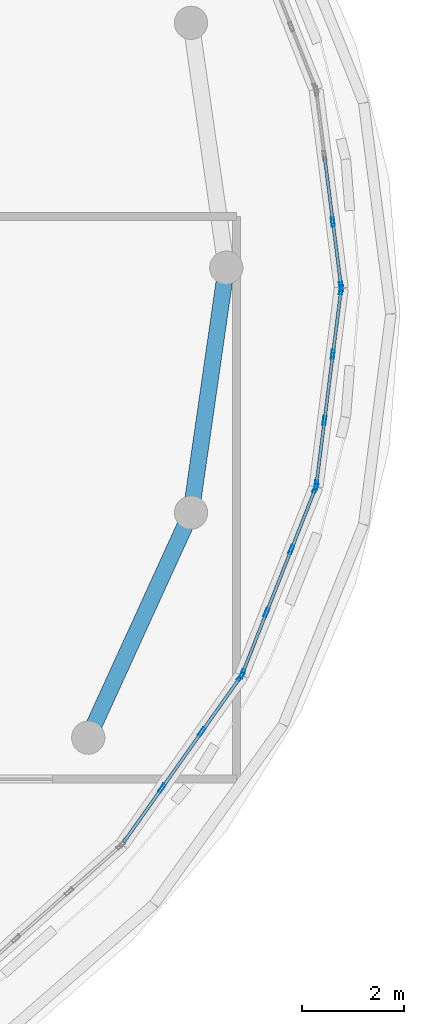
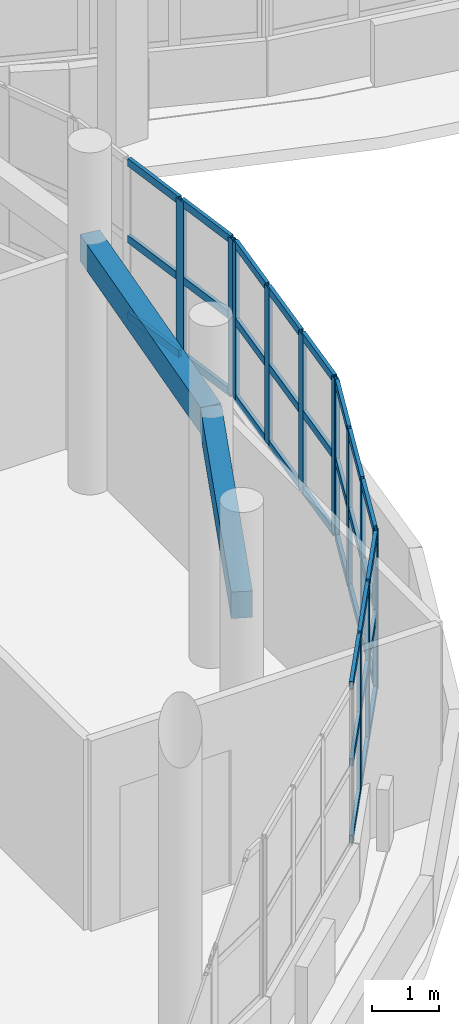
# One storey, part 10 of 105: 46 members, 2 beams, 4 elements without a shape of their own.
"""IFC4 building model written with IfcOpenShell, lengths in metres."""

from ifc_helpers import new_model, si_unit, direction, frame, origin, origin_2d, place, context, subcontext, project, spatial, rectangle, hollow_rectangle, extrude, material, layer, layer_set, material_profile, profile_set, type_object, element, aggregate, save


model = new_model("IFC4")

# Units and contexts
model_context = context("Model", 3, precision=1e-05, world=origin(), true_north=direction((0.0, 1.0)))
body_context = subcontext(model_context, "Body", "Model", "MODEL_VIEW")
ifc_project = project(units=[si_unit("LENGTHUNIT", "METRE"), si_unit("AREAUNIT", "SQUARE_METRE"), si_unit("VOLUMEUNIT", "CUBIC_METRE"), si_unit("PLANEANGLEUNIT", "RADIAN"), si_unit("MASSUNIT", "GRAM", prefix="KILO")], contexts=[model_context])

# Site, building, storey
site_placement = place(None, origin())
site = spatial("IfcSite", under=ifc_project, at=site_placement, CompositionType="ELEMENT")
building_placement = place(site_placement, origin())
building = spatial("IfcBuilding", under=site, at=building_placement, Name="Pelvatis Terrace Science Centre", CompositionType="ELEMENT")
storey_placement = place(building_placement, frame((0.0, 0.0, 10.199951171875)))
storey = spatial("IfcBuildingStorey", under=building, at=storey_placement, Name="L02", CompositionType="ELEMENT", Elevation=10.199951171875)

# Beams
ifc_material_1 = material(Name="Concrete C35/45", Category="concrete")
ifc_material_profile_1 = material_profile(ifc_material_1, rectangle(XDim=0.320068359375, YDim=0.47998046875, at=origin_2d()), Name="RC-BM 320x480")
ifc_profile_set_1 = profile_set([ifc_material_profile_1], Name="Concrete C35/45")
beam_type = type_object("IfcBeamType", Name="BM-RC-320x480", PredefinedType="BEAM", material=ifc_profile_set_1)
beam_1_placement = place(storey_placement, frame((95.0, 54.60009765625, 4.300048828125), z_axis=(-0.142332506918, -0.989818901352, 0.0), x_axis=(0.989818901352, -0.142332506918, 0.0)))
element("IfcBeam", 1, at=beam_1_placement, inside=storey, type_object=beam_type, Name="Beam BM-L02-2877", PredefinedType="BEAM", context=body_context, shape_type="SweptSolid", body=[
    extrude(rectangle(XDim=0.320068359375, YDim=0.47998046875, at=origin_2d()), origin(), (0.0, 0.0, 1.0), 4.8388671875),
])
beam_2_placement = place(storey_placement, frame((92.30126953125, 45.4091796875, 4.300048828125), z_axis=(0.415410348173, 0.909634125696, 0.0), x_axis=(-0.909634125696, 0.415410348173, 0.0)))
element("IfcBeam", 2, at=beam_2_placement, inside=storey, type_object=beam_type, Name="Beam BM-L02-2880", PredefinedType="BEAM", context=body_context, shape_type="SweptSolid", body=[
    extrude(rectangle(XDim=0.320068359375, YDim=0.47998046875, at=origin_2d()), origin(), (0.0, 0.0, 1.0), 4.838623046875),
])

# Curtain wall, members
ifc_material_2 = material(Name="Bronze-anodised aluminium and laminated glass", Category="aluminium")
ifc_layer = layer(ifc_material_2, 0.179931640625)
ifc_layer_set = layer_set([ifc_layer], Name="Bronze-anodised aluminium and laminated glass")
curtain_wall_type = type_object("IfcCurtainWallType", Name="CW-RIBBON-A", PredefinedType="NOTDEFINED", material=ifc_layer_set)
curtain_wall_1_placement = place(storey_placement, origin())
curtain_wall_1 = element("IfcCurtainWall", 3, at=curtain_wall_1_placement, inside=storey, type_object=curtain_wall_type, Name="Ribbon curtain wall CW-077 (L02)", PredefinedType="NOTDEFINED")
ifc_material_3 = material(Name="Bronze-anodised aluminium 6063-T6", Category="aluminium")
ifc_material_profile_2 = material_profile(ifc_material_3, hollow_rectangle(XDim=0.06005859375, YDim=0.179931640625, WallThickness=0.00390625, at=origin_2d()), Name="ALU-MUL 60x180")
ifc_profile_set_2 = profile_set([ifc_material_profile_2], Name="Bronze-anodised aluminium 6063-T6")
member_type_1 = type_object("IfcMemberType", Name="CWM-60x180", PredefinedType="MULLION", material=ifc_profile_set_2)
member_1_placement = place(storey_placement, frame((97.246337890625, 54.229736328125, 1.02001953125), z_axis=(0.0, 0.0, 1.0), x_axis=(-0.992045836863, -0.125877152665, 0.0)))
member_1 = element("IfcMember", 4, at=member_1_placement, type_object=member_type_1, Name="CW-077 mullion 1", PredefinedType="MULLION", context=body_context, shape_type="SweptSolid", body=[
    extrude(hollow_rectangle(XDim=0.06005859375, YDim=0.179931640625, WallThickness=0.00390625, at=origin_2d()), origin(), (0.0, 0.0, 1.0), 2.840087890625),
])
member_2_placement = place(storey_placement, frame((97.085693359375, 55.494384765625, 1.02001953125), z_axis=(0.0, 0.0, 1.0), x_axis=(-0.992045836863, -0.125877152665, 0.0)))
member_2 = element("IfcMember", 5, at=member_2_placement, type_object=member_type_1, Name="CW-077 mullion 2", PredefinedType="MULLION", context=body_context, shape_type="SweptSolid", body=[
    extrude(hollow_rectangle(XDim=0.06005859375, YDim=0.179931640625, WallThickness=0.00390625, at=origin_2d()), origin(), (0.0, 0.0, 1.0), 2.840087890625),
])

curtain_wall_2_placement = place(storey_placement, origin())
curtain_wall_2 = element("IfcCurtainWall", 6, at=curtain_wall_2_placement, inside=storey, type_object=curtain_wall_type, Name="Ribbon curtain wall CW-098 (L02)", PredefinedType="NOTDEFINED")
member_3_placement = place(storey_placement, frame((93.743408203125, 44.4228515625, 1.02001953125), z_axis=(0.0, 0.0, 1.0), x_axis=(-0.8163259778, 0.57759146286, 0.0)))
member_3 = element("IfcMember", 7, at=member_3_placement, type_object=member_type_1, Name="CW-098 mullion 2", PredefinedType="MULLION", context=body_context, shape_type="SweptSolid", body=[
    extrude(hollow_rectangle(XDim=0.06005859375, YDim=0.179931640625, WallThickness=0.00390625, at=origin_2d()), origin(), (0.0, 0.0, 1.0), 2.840087890625),
])
member_4_placement = place(storey_placement, frame((94.523681640625, 45.52587890625, 1.02001953125), z_axis=(0.0, 0.0, 1.0), x_axis=(-0.8163259778, 0.57759146286, 0.0)))
member_4 = element("IfcMember", 8, at=member_4_placement, type_object=member_type_1, Name="CW-098 mullion 3", PredefinedType="MULLION", context=body_context, shape_type="SweptSolid", body=[
    extrude(hollow_rectangle(XDim=0.06005859375, YDim=0.179931640625, WallThickness=0.00390625, at=origin_2d()), origin(), (0.0, 0.0, 1.0), 2.840087890625),
])
member_5_placement = place(storey_placement, frame((95.28662109375, 46.604248046875, 1.02001953125), z_axis=(0.0, 0.0, 1.0), x_axis=(-0.8163259778, 0.57759146286, 0.0)))
member_5 = element("IfcMember", 9, at=member_5_placement, type_object=member_type_1, Name="CW-098 mullion 4", PredefinedType="MULLION", context=body_context, shape_type="SweptSolid", body=[
    extrude(hollow_rectangle(XDim=0.06005859375, YDim=0.179931640625, WallThickness=0.00390625, at=origin_2d()), origin(), (0.0, 0.0, 1.0), 2.840087890625),
])

curtain_wall_3_placement = place(storey_placement, origin())
curtain_wall_3 = element("IfcCurtainWall", 10, at=curtain_wall_3_placement, inside=storey, type_object=curtain_wall_type, Name="Ribbon curtain wall CW-099 (L02)", PredefinedType="NOTDEFINED")
member_6_placement = place(storey_placement, frame((95.31494140625, 46.656494140625, 1.02001953125), z_axis=(0.0, 0.0, 1.0), x_axis=(-0.930379715899, 0.366597305287, 0.0)))
member_6 = element("IfcMember", 11, at=member_6_placement, type_object=member_type_1, Name="CW-099 mullion 1", PredefinedType="MULLION", context=body_context, shape_type="SweptSolid", body=[
    extrude(hollow_rectangle(XDim=0.06005859375, YDim=0.179931640625, WallThickness=0.00390625, at=origin_2d()), origin(), (0.0, 0.0, 1.0), 2.840087890625),
])
member_7_placement = place(storey_placement, frame((95.788330078125, 47.858154296875, 1.02001953125), z_axis=(0.0, 0.0, 1.0), x_axis=(-0.930379715899, 0.366597305287, 0.0)))
member_7 = element("IfcMember", 12, at=member_7_placement, type_object=member_type_1, Name="CW-099 mullion 2", PredefinedType="MULLION", context=body_context, shape_type="SweptSolid", body=[
    extrude(hollow_rectangle(XDim=0.06005859375, YDim=0.179931640625, WallThickness=0.00390625, at=origin_2d()), origin(), (0.0, 0.0, 1.0), 2.840087890625),
])
member_8_placement = place(storey_placement, frame((96.27294921875, 49.087646484375, 1.02001953125), z_axis=(0.0, 0.0, 1.0), x_axis=(-0.930379715899, 0.366597305287, 0.0)))
member_8 = element("IfcMember", 13, at=member_8_placement, type_object=member_type_1, Name="CW-099 mullion 3", PredefinedType="MULLION", context=body_context, shape_type="SweptSolid", body=[
    extrude(hollow_rectangle(XDim=0.06005859375, YDim=0.179931640625, WallThickness=0.00390625, at=origin_2d()), origin(), (0.0, 0.0, 1.0), 2.840087890625),
])
member_9_placement = place(storey_placement, frame((96.746337890625, 50.2890625, 1.02001953125), z_axis=(0.0, 0.0, 1.0), x_axis=(-0.930379715899, 0.366597305287, 0.0)))
member_9 = element("IfcMember", 14, at=member_9_placement, type_object=member_type_1, Name="CW-099 mullion 4", PredefinedType="MULLION", context=body_context, shape_type="SweptSolid", body=[
    extrude(hollow_rectangle(XDim=0.06005859375, YDim=0.179931640625, WallThickness=0.00390625, at=origin_2d()), origin(), (0.0, 0.0, 1.0), 2.840087890625),
])

curtain_wall_4_placement = place(storey_placement, origin())
curtain_wall_4 = element("IfcCurtainWall", 15, at=curtain_wall_4_placement, inside=storey, type_object=curtain_wall_type, Name="Ribbon curtain wall CW-100 (L02)", PredefinedType="NOTDEFINED")
member_10_placement = place(storey_placement, frame((96.760986328125, 50.3466796875, 1.02001953125), z_axis=(0.0, 0.0, 1.0), x_axis=(-0.992045836863, 0.125877152665, 0.0)))
member_10 = element("IfcMember", 16, at=member_10_placement, type_object=member_type_1, Name="CW-100 mullion 1", PredefinedType="MULLION", context=body_context, shape_type="SweptSolid", body=[
    extrude(hollow_rectangle(XDim=0.06005859375, YDim=0.179931640625, WallThickness=0.00390625, at=origin_2d()), origin(), (0.0, 0.0, 1.0), 2.840087890625),
])
member_11_placement = place(storey_placement, frame((96.921630859375, 51.611328125, 1.02001953125), z_axis=(0.0, 0.0, 1.0), x_axis=(-0.992045836863, 0.125877152665, 0.0)))
member_11 = element("IfcMember", 17, at=member_11_placement, type_object=member_type_1, Name="CW-100 mullion 2", PredefinedType="MULLION", context=body_context, shape_type="SweptSolid", body=[
    extrude(hollow_rectangle(XDim=0.06005859375, YDim=0.179931640625, WallThickness=0.00390625, at=origin_2d()), origin(), (0.0, 0.0, 1.0), 2.840087890625),
])
member_12_placement = place(storey_placement, frame((97.085693359375, 52.90576171875, 1.02001953125), z_axis=(0.0, 0.0, 1.0), x_axis=(-0.992045836863, 0.125877152665, 0.0)))
member_12 = element("IfcMember", 18, at=member_12_placement, type_object=member_type_1, Name="CW-100 mullion 3", PredefinedType="MULLION", context=body_context, shape_type="SweptSolid", body=[
    extrude(hollow_rectangle(XDim=0.06005859375, YDim=0.179931640625, WallThickness=0.00390625, at=origin_2d()), origin(), (0.0, 0.0, 1.0), 2.840087890625),
])
member_13_placement = place(storey_placement, frame((97.246337890625, 54.170166015625, 1.02001953125), z_axis=(0.0, 0.0, 1.0), x_axis=(-0.992045836863, 0.125877152665, 0.0)))
member_13 = element("IfcMember", 19, at=member_13_placement, type_object=member_type_1, Name="CW-100 mullion 4", PredefinedType="MULLION", context=body_context, shape_type="SweptSolid", body=[
    extrude(hollow_rectangle(XDim=0.06005859375, YDim=0.179931640625, WallThickness=0.00390625, at=origin_2d()), origin(), (0.0, 0.0, 1.0), 2.840087890625),
])

# Member
ifc_material_4 = material(Name="Bronze-anodised aluminium 6063-T6", Category="aluminium")
ifc_material_profile_3 = material_profile(ifc_material_4, hollow_rectangle(XDim=0.06005859375, YDim=0.139892578125, WallThickness=0.00390625, at=origin_2d()), Name="ALU-TRN 60x140")
ifc_profile_set_3 = profile_set([ifc_material_profile_3], Name="Bronze-anodised aluminium 6063-T6")
member_type_2 = type_object("IfcMemberType", Name="CWT-60x140", PredefinedType="USERDEFINED", material=ifc_profile_set_3)
member_14_placement = place(storey_placement, frame((97.242431640625, 54.259521484375, 1.050048828125), z_axis=(-0.125815556184, 0.992053650677, 0.0), x_axis=(-0.992053650677, -0.125815556184, 0.0)))
member_14 = element("IfcMember", 20, at=member_14_placement, type_object=member_type_2, Name="CW-077 transom 1.1", ObjectType="TRANSOM", PredefinedType="USERDEFINED", context=body_context, shape_type="SweptSolid", body=[
    extrude(hollow_rectangle(XDim=0.06005859375, YDim=0.139892578125, WallThickness=0.00390625, at=origin_2d()), origin(), (0.0, 0.0, 1.0), 1.21484375),
])

member_15_placement = place(storey_placement, frame((97.242431640625, 54.259521484375, 2.43994140625), z_axis=(-0.125815556184, 0.992053650677, 0.0), x_axis=(-0.992053650677, -0.125815556184, 0.0)))
member_15 = element("IfcMember", 21, at=member_15_placement, type_object=member_type_2, Name="CW-077 transom 1.2", ObjectType="TRANSOM", PredefinedType="USERDEFINED", context=body_context, shape_type="SweptSolid", body=[
    extrude(hollow_rectangle(XDim=0.06005859375, YDim=0.139892578125, WallThickness=0.00390625, at=origin_2d()), origin(), (0.0, 0.0, 1.0), 1.21484375),
])

member_16_placement = place(storey_placement, frame((97.242431640625, 54.259521484375, 3.830078125), z_axis=(-0.125815556184, 0.992053650677, 0.0), x_axis=(-0.992053650677, -0.125815556184, 0.0)))
member_16 = element("IfcMember", 22, at=member_16_placement, type_object=member_type_2, Name="CW-077 transom 1.3", ObjectType="TRANSOM", PredefinedType="USERDEFINED", context=body_context, shape_type="SweptSolid", body=[
    extrude(hollow_rectangle(XDim=0.06005859375, YDim=0.139892578125, WallThickness=0.00390625, at=origin_2d()), origin(), (0.0, 0.0, 1.0), 1.21484375),
])

member_17_placement = place(storey_placement, frame((97.08203125, 55.524169921875, 1.050048828125), z_axis=(-0.125941892838, 0.992037620067, 0.0), x_axis=(-0.992037620067, -0.125941892838, 0.0)))
member_17 = element("IfcMember", 23, at=member_17_placement, type_object=member_type_2, Name="CW-077 transom 2.1", ObjectType="TRANSOM", PredefinedType="USERDEFINED", context=body_context, shape_type="SweptSolid", body=[
    extrude(hollow_rectangle(XDim=0.06005859375, YDim=0.139892578125, WallThickness=0.00390625, at=origin_2d()), origin(), (0.0, 0.0, 1.0), 1.24462890625),
])

member_18_placement = place(storey_placement, frame((97.08203125, 55.524169921875, 2.43994140625), z_axis=(-0.125941892838, 0.992037620067, 0.0), x_axis=(-0.992037620067, -0.125941892838, 0.0)))
member_18 = element("IfcMember", 24, at=member_18_placement, type_object=member_type_2, Name="CW-077 transom 2.2", ObjectType="TRANSOM", PredefinedType="USERDEFINED", context=body_context, shape_type="SweptSolid", body=[
    extrude(hollow_rectangle(XDim=0.06005859375, YDim=0.139892578125, WallThickness=0.00390625, at=origin_2d()), origin(), (0.0, 0.0, 1.0), 1.24462890625),
])

member_19_placement = place(storey_placement, frame((97.08203125, 55.524169921875, 3.830078125), z_axis=(-0.125941892838, 0.992037620067, 0.0), x_axis=(-0.992037620067, -0.125941892838, 0.0)))
member_19 = element("IfcMember", 25, at=member_19_placement, type_object=member_type_2, Name="CW-077 transom 2.3", ObjectType="TRANSOM", PredefinedType="USERDEFINED", context=body_context, shape_type="SweptSolid", body=[
    extrude(hollow_rectangle(XDim=0.06005859375, YDim=0.139892578125, WallThickness=0.00390625, at=origin_2d()), origin(), (0.0, 0.0, 1.0), 1.24462890625),
])

aggregate(curtain_wall_1, [member_1, member_2, member_14, member_15, member_16, member_17, member_18, member_19])

member_20_placement = place(storey_placement, frame((92.99755859375, 43.369140625, 1.050048828125), z_axis=(0.577716486773, 0.816237502759, 0.0), x_axis=(-0.816237502759, 0.577716486773, 0.0)))
member_20 = element("IfcMember", 26, at=member_20_placement, type_object=member_type_2, Name="CW-098 transom 1.1", ObjectType="TRANSOM", PredefinedType="USERDEFINED", context=body_context, shape_type="SweptSolid", body=[
    extrude(hollow_rectangle(XDim=0.06005859375, YDim=0.139892578125, WallThickness=0.00390625, at=origin_2d()), origin(), (0.0, 0.0, 1.0), 1.260986328125),
])

member_21_placement = place(storey_placement, frame((92.99755859375, 43.369140625, 2.43994140625), z_axis=(0.577716486773, 0.816237502759, 0.0), x_axis=(-0.816237502759, 0.577716486773, 0.0)))
member_21 = element("IfcMember", 27, at=member_21_placement, type_object=member_type_2, Name="CW-098 transom 1.2", ObjectType="TRANSOM", PredefinedType="USERDEFINED", context=body_context, shape_type="SweptSolid", body=[
    extrude(hollow_rectangle(XDim=0.06005859375, YDim=0.139892578125, WallThickness=0.00390625, at=origin_2d()), origin(), (0.0, 0.0, 1.0), 1.260986328125),
])

member_22_placement = place(storey_placement, frame((92.99755859375, 43.369140625, 3.830078125), z_axis=(0.577716486773, 0.816237502759, 0.0), x_axis=(-0.816237502759, 0.577716486773, 0.0)))
member_22 = element("IfcMember", 28, at=member_22_placement, type_object=member_type_2, Name="CW-098 transom 1.3", ObjectType="TRANSOM", PredefinedType="USERDEFINED", context=body_context, shape_type="SweptSolid", body=[
    extrude(hollow_rectangle(XDim=0.06005859375, YDim=0.139892578125, WallThickness=0.00390625, at=origin_2d()), origin(), (0.0, 0.0, 1.0), 1.260986328125),
])

member_23_placement = place(storey_placement, frame((93.7607421875, 44.447509765625, 1.050048828125), z_axis=(0.57752927875, 0.816369972614, 0.0), x_axis=(-0.816369972614, 0.57752927875, 0.0)))
member_23 = element("IfcMember", 29, at=member_23_placement, type_object=member_type_2, Name="CW-098 transom 2.1", ObjectType="TRANSOM", PredefinedType="USERDEFINED", context=body_context, shape_type="SweptSolid", body=[
    extrude(hollow_rectangle(XDim=0.06005859375, YDim=0.139892578125, WallThickness=0.00390625, at=origin_2d()), origin(), (0.0, 0.0, 1.0), 1.291015625),
])

member_24_placement = place(storey_placement, frame((93.7607421875, 44.447509765625, 2.43994140625), z_axis=(0.57752927875, 0.816369972614, 0.0), x_axis=(-0.816369972614, 0.57752927875, 0.0)))
member_24 = element("IfcMember", 30, at=member_24_placement, type_object=member_type_2, Name="CW-098 transom 2.2", ObjectType="TRANSOM", PredefinedType="USERDEFINED", context=body_context, shape_type="SweptSolid", body=[
    extrude(hollow_rectangle(XDim=0.06005859375, YDim=0.139892578125, WallThickness=0.00390625, at=origin_2d()), origin(), (0.0, 0.0, 1.0), 1.291015625),
])

member_25_placement = place(storey_placement, frame((93.7607421875, 44.447509765625, 3.830078125), z_axis=(0.57752927875, 0.816369972614, 0.0), x_axis=(-0.816369972614, 0.57752927875, 0.0)))
member_25 = element("IfcMember", 31, at=member_25_placement, type_object=member_type_2, Name="CW-098 transom 2.3", ObjectType="TRANSOM", PredefinedType="USERDEFINED", context=body_context, shape_type="SweptSolid", body=[
    extrude(hollow_rectangle(XDim=0.06005859375, YDim=0.139892578125, WallThickness=0.00390625, at=origin_2d()), origin(), (0.0, 0.0, 1.0), 1.291015625),
])

member_26_placement = place(storey_placement, frame((94.541015625, 45.55029296875, 1.050048828125), z_axis=(0.577496192944, 0.816393377689, 0.0), x_axis=(-0.816393377689, 0.577496192944, 0.0)))
member_26 = element("IfcMember", 32, at=member_26_placement, type_object=member_type_2, Name="CW-098 transom 3.1", ObjectType="TRANSOM", PredefinedType="USERDEFINED", context=body_context, shape_type="SweptSolid", body=[
    extrude(hollow_rectangle(XDim=0.06005859375, YDim=0.139892578125, WallThickness=0.00390625, at=origin_2d()), origin(), (0.0, 0.0, 1.0), 1.260986328125),
])

member_27_placement = place(storey_placement, frame((94.541015625, 45.55029296875, 2.43994140625), z_axis=(0.577496192944, 0.816393377689, 0.0), x_axis=(-0.816393377689, 0.577496192944, 0.0)))
member_27 = element("IfcMember", 33, at=member_27_placement, type_object=member_type_2, Name="CW-098 transom 3.2", ObjectType="TRANSOM", PredefinedType="USERDEFINED", context=body_context, shape_type="SweptSolid", body=[
    extrude(hollow_rectangle(XDim=0.06005859375, YDim=0.139892578125, WallThickness=0.00390625, at=origin_2d()), origin(), (0.0, 0.0, 1.0), 1.260986328125),
])

member_28_placement = place(storey_placement, frame((94.541015625, 45.55029296875, 3.830078125), z_axis=(0.577496192944, 0.816393377689, 0.0), x_axis=(-0.816393377689, 0.577496192944, 0.0)))
member_28 = element("IfcMember", 34, at=member_28_placement, type_object=member_type_2, Name="CW-098 transom 3.3", ObjectType="TRANSOM", PredefinedType="USERDEFINED", context=body_context, shape_type="SweptSolid", body=[
    extrude(hollow_rectangle(XDim=0.06005859375, YDim=0.139892578125, WallThickness=0.00390625, at=origin_2d()), origin(), (0.0, 0.0, 1.0), 1.260986328125),
])

aggregate(curtain_wall_2, [member_3, member_4, member_5, member_20, member_21, member_22, member_23, member_24, member_25, member_26, member_27, member_28])

member_29_placement = place(storey_placement, frame((95.325927734375, 46.6845703125, 1.050048828125), z_axis=(0.366566122362, 0.930392002296, 0.0), x_axis=(-0.930392002296, 0.366566122362, 0.0)))
member_29 = element("IfcMember", 35, at=member_29_placement, type_object=member_type_2, Name="CW-099 transom 1.1", ObjectType="TRANSOM", PredefinedType="USERDEFINED", context=body_context, shape_type="SweptSolid", body=[
    extrude(hollow_rectangle(XDim=0.06005859375, YDim=0.139892578125, WallThickness=0.00390625, at=origin_2d()), origin(), (0.0, 0.0, 1.0), 1.2314453125),
])

member_30_placement = place(storey_placement, frame((95.325927734375, 46.6845703125, 2.43994140625), z_axis=(0.366566122362, 0.930392002296, 0.0), x_axis=(-0.930392002296, 0.366566122362, 0.0)))
member_30 = element("IfcMember", 36, at=member_30_placement, type_object=member_type_2, Name="CW-099 transom 1.2", ObjectType="TRANSOM", PredefinedType="USERDEFINED", context=body_context, shape_type="SweptSolid", body=[
    extrude(hollow_rectangle(XDim=0.06005859375, YDim=0.139892578125, WallThickness=0.00390625, at=origin_2d()), origin(), (0.0, 0.0, 1.0), 1.2314453125),
])

member_31_placement = place(storey_placement, frame((95.325927734375, 46.6845703125, 3.830078125), z_axis=(0.366566122362, 0.930392002296, 0.0), x_axis=(-0.930392002296, 0.366566122362, 0.0)))
member_31 = element("IfcMember", 37, at=member_31_placement, type_object=member_type_2, Name="CW-099 transom 1.3", ObjectType="TRANSOM", PredefinedType="USERDEFINED", context=body_context, shape_type="SweptSolid", body=[
    extrude(hollow_rectangle(XDim=0.06005859375, YDim=0.139892578125, WallThickness=0.00390625, at=origin_2d()), origin(), (0.0, 0.0, 1.0), 1.2314453125),
])

member_32_placement = place(storey_placement, frame((95.79931640625, 47.885986328125, 1.050048828125), z_axis=(0.366747887868, 0.9303203678, 0.0), x_axis=(-0.9303203678, 0.366747887868, 0.0)))
member_32 = element("IfcMember", 38, at=member_32_placement, type_object=member_type_2, Name="CW-099 transom 2.1", ObjectType="TRANSOM", PredefinedType="USERDEFINED", context=body_context, shape_type="SweptSolid", body=[
    extrude(hollow_rectangle(XDim=0.06005859375, YDim=0.139892578125, WallThickness=0.00390625, at=origin_2d()), origin(), (0.0, 0.0, 1.0), 1.261474609375),
])

member_33_placement = place(storey_placement, frame((95.79931640625, 47.885986328125, 2.43994140625), z_axis=(0.366747887868, 0.9303203678, 0.0), x_axis=(-0.9303203678, 0.366747887868, 0.0)))
member_33 = element("IfcMember", 39, at=member_33_placement, type_object=member_type_2, Name="CW-099 transom 2.2", ObjectType="TRANSOM", PredefinedType="USERDEFINED", context=body_context, shape_type="SweptSolid", body=[
    extrude(hollow_rectangle(XDim=0.06005859375, YDim=0.139892578125, WallThickness=0.00390625, at=origin_2d()), origin(), (0.0, 0.0, 1.0), 1.261474609375),
])

member_34_placement = place(storey_placement, frame((95.79931640625, 47.885986328125, 3.830078125), z_axis=(0.366747887868, 0.9303203678, 0.0), x_axis=(-0.9303203678, 0.366747887868, 0.0)))
member_34 = element("IfcMember", 40, at=member_34_placement, type_object=member_type_2, Name="CW-099 transom 2.3", ObjectType="TRANSOM", PredefinedType="USERDEFINED", context=body_context, shape_type="SweptSolid", body=[
    extrude(hollow_rectangle(XDim=0.06005859375, YDim=0.139892578125, WallThickness=0.00390625, at=origin_2d()), origin(), (0.0, 0.0, 1.0), 1.261474609375),
])

member_35_placement = place(storey_placement, frame((96.283935546875, 49.115478515625, 1.050048828125), z_axis=(0.366566122362, 0.930392002296, 0.0), x_axis=(-0.930392002296, 0.366566122362, 0.0)))
member_35 = element("IfcMember", 41, at=member_35_placement, type_object=member_type_2, Name="CW-099 transom 3.1", ObjectType="TRANSOM", PredefinedType="USERDEFINED", context=body_context, shape_type="SweptSolid", body=[
    extrude(hollow_rectangle(XDim=0.06005859375, YDim=0.139892578125, WallThickness=0.00390625, at=origin_2d()), origin(), (0.0, 0.0, 1.0), 1.2314453125),
])

member_36_placement = place(storey_placement, frame((96.283935546875, 49.115478515625, 2.43994140625), z_axis=(0.366566122362, 0.930392002296, 0.0), x_axis=(-0.930392002296, 0.366566122362, 0.0)))
member_36 = element("IfcMember", 42, at=member_36_placement, type_object=member_type_2, Name="CW-099 transom 3.2", ObjectType="TRANSOM", PredefinedType="USERDEFINED", context=body_context, shape_type="SweptSolid", body=[
    extrude(hollow_rectangle(XDim=0.06005859375, YDim=0.139892578125, WallThickness=0.00390625, at=origin_2d()), origin(), (0.0, 0.0, 1.0), 1.2314453125),
])

member_37_placement = place(storey_placement, frame((96.283935546875, 49.115478515625, 3.830078125), z_axis=(0.366566122362, 0.930392002296, 0.0), x_axis=(-0.930392002296, 0.366566122362, 0.0)))
member_37 = element("IfcMember", 43, at=member_37_placement, type_object=member_type_2, Name="CW-099 transom 3.3", ObjectType="TRANSOM", PredefinedType="USERDEFINED", context=body_context, shape_type="SweptSolid", body=[
    extrude(hollow_rectangle(XDim=0.06005859375, YDim=0.139892578125, WallThickness=0.00390625, at=origin_2d()), origin(), (0.0, 0.0, 1.0), 1.2314453125),
])

aggregate(curtain_wall_3, [member_6, member_7, member_8, member_9, member_29, member_30, member_31, member_32, member_33, member_34, member_35, member_36, member_37])

member_38_placement = place(storey_placement, frame((96.764892578125, 50.37646484375, 1.050048828125), z_axis=(0.125815556184, 0.992053650677, 0.0), x_axis=(-0.992053650677, 0.125815556184, 0.0)))
member_38 = element("IfcMember", 44, at=member_38_placement, type_object=member_type_2, Name="CW-100 transom 1.1", ObjectType="TRANSOM", PredefinedType="USERDEFINED", context=body_context, shape_type="SweptSolid", body=[
    extrude(hollow_rectangle(XDim=0.06005859375, YDim=0.139892578125, WallThickness=0.00390625, at=origin_2d()), origin(), (0.0, 0.0, 1.0), 1.21484375),
])

member_39_placement = place(storey_placement, frame((96.764892578125, 50.37646484375, 2.43994140625), z_axis=(0.125815556184, 0.992053650677, 0.0), x_axis=(-0.992053650677, 0.125815556184, 0.0)))
member_39 = element("IfcMember", 45, at=member_39_placement, type_object=member_type_2, Name="CW-100 transom 1.2", ObjectType="TRANSOM", PredefinedType="USERDEFINED", context=body_context, shape_type="SweptSolid", body=[
    extrude(hollow_rectangle(XDim=0.06005859375, YDim=0.139892578125, WallThickness=0.00390625, at=origin_2d()), origin(), (0.0, 0.0, 1.0), 1.21484375),
])

member_40_placement = place(storey_placement, frame((96.764892578125, 50.37646484375, 3.830078125), z_axis=(0.125815556184, 0.992053650677, 0.0), x_axis=(-0.992053650677, 0.125815556184, 0.0)))
member_40 = element("IfcMember", 46, at=member_40_placement, type_object=member_type_2, Name="CW-100 transom 1.3", ObjectType="TRANSOM", PredefinedType="USERDEFINED", context=body_context, shape_type="SweptSolid", body=[
    extrude(hollow_rectangle(XDim=0.06005859375, YDim=0.139892578125, WallThickness=0.00390625, at=origin_2d()), origin(), (0.0, 0.0, 1.0), 1.21484375),
])

member_41_placement = place(storey_placement, frame((96.92529296875, 51.64111328125, 1.050048828125), z_axis=(0.12591738812, 0.992040730701, 0.0), x_axis=(-0.992040730701, 0.12591738812, 0.0)))
member_41 = element("IfcMember", 47, at=member_41_placement, type_object=member_type_2, Name="CW-100 transom 2.1", ObjectType="TRANSOM", PredefinedType="USERDEFINED", context=body_context, shape_type="SweptSolid", body=[
    extrude(hollow_rectangle(XDim=0.06005859375, YDim=0.139892578125, WallThickness=0.00390625, at=origin_2d()), origin(), (0.0, 0.0, 1.0), 1.244873046875),
])

member_42_placement = place(storey_placement, frame((96.92529296875, 51.64111328125, 2.43994140625), z_axis=(0.12591738812, 0.992040730701, 0.0), x_axis=(-0.992040730701, 0.12591738812, 0.0)))
member_42 = element("IfcMember", 48, at=member_42_placement, type_object=member_type_2, Name="CW-100 transom 2.2", ObjectType="TRANSOM", PredefinedType="USERDEFINED", context=body_context, shape_type="SweptSolid", body=[
    extrude(hollow_rectangle(XDim=0.06005859375, YDim=0.139892578125, WallThickness=0.00390625, at=origin_2d()), origin(), (0.0, 0.0, 1.0), 1.244873046875),
])

member_43_placement = place(storey_placement, frame((96.92529296875, 51.64111328125, 3.830078125), z_axis=(0.12591738812, 0.992040730701, 0.0), x_axis=(-0.992040730701, 0.12591738812, 0.0)))
member_43 = element("IfcMember", 49, at=member_43_placement, type_object=member_type_2, Name="CW-100 transom 2.3", ObjectType="TRANSOM", PredefinedType="USERDEFINED", context=body_context, shape_type="SweptSolid", body=[
    extrude(hollow_rectangle(XDim=0.06005859375, YDim=0.139892578125, WallThickness=0.00390625, at=origin_2d()), origin(), (0.0, 0.0, 1.0), 1.244873046875),
])

member_44_placement = place(storey_placement, frame((97.089599609375, 52.935546875, 1.050048828125), z_axis=(0.125840647036, 0.992050468249, 0.0), x_axis=(-0.992050468249, 0.125840647036, 0.0)))
member_44 = element("IfcMember", 50, at=member_44_placement, type_object=member_type_2, Name="CW-100 transom 3.1", ObjectType="TRANSOM", PredefinedType="USERDEFINED", context=body_context, shape_type="SweptSolid", body=[
    extrude(hollow_rectangle(XDim=0.06005859375, YDim=0.139892578125, WallThickness=0.00390625, at=origin_2d()), origin(), (0.0, 0.0, 1.0), 1.214599609375),
])

member_45_placement = place(storey_placement, frame((97.089599609375, 52.935546875, 2.43994140625), z_axis=(0.125840647036, 0.992050468249, 0.0), x_axis=(-0.992050468249, 0.125840647036, 0.0)))
member_45 = element("IfcMember", 51, at=member_45_placement, type_object=member_type_2, Name="CW-100 transom 3.2", ObjectType="TRANSOM", PredefinedType="USERDEFINED", context=body_context, shape_type="SweptSolid", body=[
    extrude(hollow_rectangle(XDim=0.06005859375, YDim=0.139892578125, WallThickness=0.00390625, at=origin_2d()), origin(), (0.0, 0.0, 1.0), 1.214599609375),
])

member_46_placement = place(storey_placement, frame((97.089599609375, 52.935546875, 3.830078125), z_axis=(0.125840647036, 0.992050468249, 0.0), x_axis=(-0.992050468249, 0.125840647036, 0.0)))
member_46 = element("IfcMember", 52, at=member_46_placement, type_object=member_type_2, Name="CW-100 transom 3.3", ObjectType="TRANSOM", PredefinedType="USERDEFINED", context=body_context, shape_type="SweptSolid", body=[
    extrude(hollow_rectangle(XDim=0.06005859375, YDim=0.139892578125, WallThickness=0.00390625, at=origin_2d()), origin(), (0.0, 0.0, 1.0), 1.214599609375),
])

aggregate(curtain_wall_4, [member_10, member_11, member_12, member_13, member_38, member_39, member_40, member_41, member_42, member_43, member_44, member_45, member_46])

save(model, "model.ifc")
